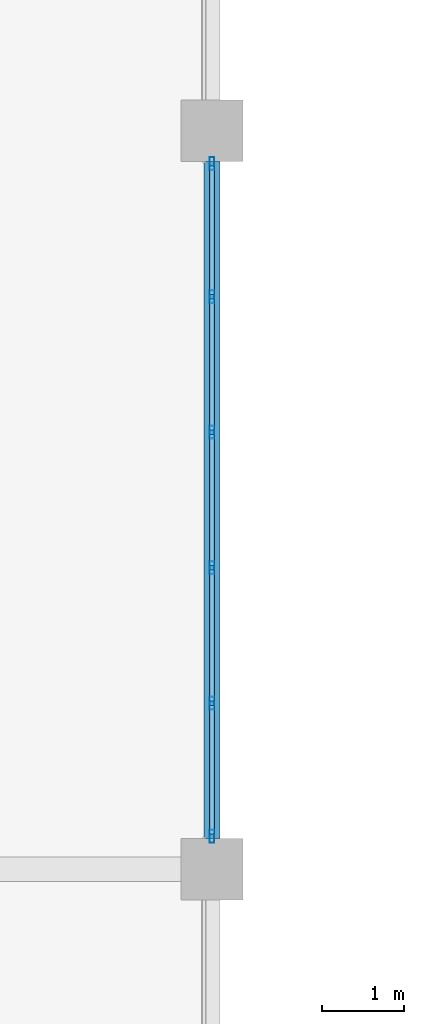
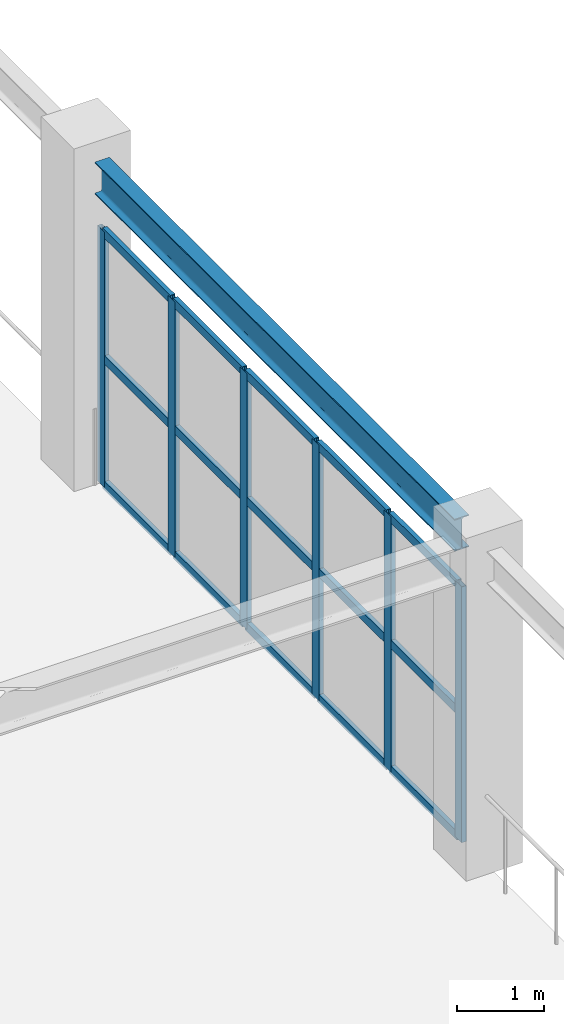
# One storey, part 35 of 89: 21 members, 1 beam, 1 element without a shape of its own.
"""IFC4 building model written with IfcOpenShell, lengths in metres."""

from ifc_helpers import new_model, si_unit, direction, frame, origin, origin_2d, place, context, subcontext, project, spatial, hollow_rectangle, i_section, extrude, material, layer, layer_set, material_profile, profile_set, type_object, element, aggregate, save


model = new_model("IFC4")

# Units and contexts
model_context = context("Model", 3, precision=1e-05, world=origin(), true_north=direction((0.0, 1.0)))
body_context = subcontext(model_context, "Body", "Model", "MODEL_VIEW")
ifc_project = project(units=[si_unit("LENGTHUNIT", "METRE"), si_unit("AREAUNIT", "SQUARE_METRE"), si_unit("VOLUMEUNIT", "CUBIC_METRE"), si_unit("PLANEANGLEUNIT", "RADIAN"), si_unit("MASSUNIT", "GRAM", prefix="KILO")], contexts=[model_context])

# Site, building, storey
site_placement = place(None, origin())
site = spatial("IfcSite", under=ifc_project, at=site_placement, CompositionType="ELEMENT")
building_placement = place(site_placement, origin())
building = spatial("IfcBuilding", under=site, at=building_placement, Name="Dornveld Trade and Exhibition Forum", CompositionType="ELEMENT")
storey_placement = place(building_placement, frame((0.0, 0.0, 12.0)))
storey = spatial("IfcBuildingStorey", under=building, at=storey_placement, Name="L02", CompositionType="ELEMENT", Elevation=12.0)

# Beam
ifc_material_1 = material(Name="Steel S355J2", Category="steel")
ifc_material_profile_1 = material_profile(ifc_material_1, i_section(OverallWidth=0.18994140625, OverallDepth=0.449951171875, WebThickness=0.009521484375, FlangeThickness=0.0146484375, FilletRadius=0.02099609375, at=origin_2d()), Name="IPE 450")
ifc_profile_set_1 = profile_set([ifc_material_profile_1], Name="Steel S355J2")
beam_type = type_object("IfcBeamType", Name="BM-SEC-450", PredefinedType="BEAM", material=ifc_profile_set_1)
beam_placement = place(storey_placement, frame((153.0, 81.37109375, 4.294921875), z_axis=(0.0, 1.0, 0.0), x_axis=(-1.0, 0.0, 0.0)))
element("IfcBeam", 1, at=beam_placement, inside=storey, type_object=beam_type, Name="L02 Y-girder 1532", PredefinedType="BEAM", context=body_context, shape_type="SweptSolid", body=[
    extrude(i_section(OverallWidth=0.18994140625, OverallDepth=0.449951171875, WebThickness=0.009521484375, FlangeThickness=0.0146484375, FilletRadius=0.02099609375, at=origin_2d()), origin(), (0.0, 0.0, 1.0), 8.2578125),
])

# Curtain wall, members
ifc_material_2 = material(Name="Dark-bronze anodised aluminium and low-E glass", Category="aluminium")
ifc_layer = layer(ifc_material_2, 0.1689453125)
ifc_layer_set = layer_set([ifc_layer], Name="Dark-bronze anodised aluminium and low-E glass")
curtain_wall_type = type_object("IfcCurtainWallType", Name="CW-SYS-09", PredefinedType="USERDEFINED", material=ifc_layer_set)
curtain_wall_placement = place(storey_placement, origin())
curtain_wall = element("IfcCurtainWall", 2, at=curtain_wall_placement, inside=storey, type_object=curtain_wall_type, Name="L02 unitised curtain wall 63", ObjectType="UNITISED_CURTAIN_WALL", PredefinedType="USERDEFINED")
ifc_material_3 = material(Name="Dark-bronze anodised aluminium", Category="aluminium")
ifc_material_profile_2 = material_profile(ifc_material_3, hollow_rectangle(XDim=0.06005859375, YDim=0.159912109375, WallThickness=0.00390625, at=origin_2d()), Name="RHS 160x60x4")
ifc_profile_set_2 = profile_set([ifc_material_profile_2], Name="Dark-bronze anodised aluminium")
member_type_1 = type_object("IfcMemberType", Name="CW-MUL-160", PredefinedType="MULLION", material=ifc_profile_set_2)
member_1_placement = place(storey_placement, frame((153.0, 81.40087890625, -0.00390625), z_axis=(0.0, 0.0, 1.0), x_axis=(-1.0, 0.0, 0.0)))
member_1 = element("IfcMember", 3, at=member_1_placement, type_object=member_type_1, Name="CW-09 mullion 1", PredefinedType="MULLION", context=body_context, shape_type="SweptSolid", body=[
    extrude(hollow_rectangle(XDim=0.06005859375, YDim=0.159912109375, WallThickness=0.00390625, at=origin_2d()), origin(), (0.0, 0.0, 1.0), 3.583984375),
])
member_2_placement = place(storey_placement, frame((153.0, 83.022705078125, -0.00390625), z_axis=(0.0, 0.0, 1.0), x_axis=(-1.0, 0.0, 0.0)))
member_2 = element("IfcMember", 4, at=member_2_placement, type_object=member_type_1, Name="CW-09 mullion 2", PredefinedType="MULLION", context=body_context, shape_type="SweptSolid", body=[
    extrude(hollow_rectangle(XDim=0.06005859375, YDim=0.159912109375, WallThickness=0.00390625, at=origin_2d()), origin(), (0.0, 0.0, 1.0), 3.583984375),
])
member_3_placement = place(storey_placement, frame((153.0, 84.67431640625, -0.00390625), z_axis=(0.0, 0.0, 1.0), x_axis=(-1.0, 0.0, 0.0)))
member_3 = element("IfcMember", 5, at=member_3_placement, type_object=member_type_1, Name="CW-09 mullion 3", PredefinedType="MULLION", context=body_context, shape_type="SweptSolid", body=[
    extrude(hollow_rectangle(XDim=0.06005859375, YDim=0.159912109375, WallThickness=0.00390625, at=origin_2d()), origin(), (0.0, 0.0, 1.0), 3.583984375),
])
member_4_placement = place(storey_placement, frame((153.0, 86.32568359375, -0.00390625), z_axis=(0.0, 0.0, 1.0), x_axis=(-1.0, 0.0, 0.0)))
member_4 = element("IfcMember", 6, at=member_4_placement, type_object=member_type_1, Name="CW-09 mullion 4", PredefinedType="MULLION", context=body_context, shape_type="SweptSolid", body=[
    extrude(hollow_rectangle(XDim=0.06005859375, YDim=0.159912109375, WallThickness=0.00390625, at=origin_2d()), origin(), (0.0, 0.0, 1.0), 3.583984375),
])
member_5_placement = place(storey_placement, frame((153.0, 87.977294921875, -0.00390625), z_axis=(0.0, 0.0, 1.0), x_axis=(-1.0, 0.0, 0.0)))
member_5 = element("IfcMember", 7, at=member_5_placement, type_object=member_type_1, Name="CW-09 mullion 5", PredefinedType="MULLION", context=body_context, shape_type="SweptSolid", body=[
    extrude(hollow_rectangle(XDim=0.06005859375, YDim=0.159912109375, WallThickness=0.00390625, at=origin_2d()), origin(), (0.0, 0.0, 1.0), 3.583984375),
])
member_6_placement = place(storey_placement, frame((153.0, 89.59912109375, -0.00390625), z_axis=(0.0, 0.0, 1.0), x_axis=(-1.0, 0.0, 0.0)))
member_6 = element("IfcMember", 8, at=member_6_placement, type_object=member_type_1, Name="CW-09 mullion 6", PredefinedType="MULLION", context=body_context, shape_type="SweptSolid", body=[
    extrude(hollow_rectangle(XDim=0.06005859375, YDim=0.159912109375, WallThickness=0.00390625, at=origin_2d()), origin(), (0.0, 0.0, 1.0), 3.583984375),
])
ifc_material_4 = material(Name="Dark-bronze anodised aluminium", Category="aluminium")
ifc_material_profile_3 = material_profile(ifc_material_4, hollow_rectangle(XDim=0.06005859375, YDim=0.1201171875, WallThickness=0.00390625, at=origin_2d()), Name="RHS 120x60x4")
ifc_profile_set_3 = profile_set([ifc_material_profile_3], Name="Dark-bronze anodised aluminium")
member_type_2 = type_object("IfcMemberType", Name="CW-TRN-120", PredefinedType="USERDEFINED", material=ifc_profile_set_3)
member_7_placement = place(storey_placement, frame((153.0, 81.430908203125, 0.02587890625), z_axis=(0.0, 1.0, 0.0), x_axis=(-1.0, 0.0, 0.0)))
member_7 = element("IfcMember", 9, at=member_7_placement, type_object=member_type_2, Name="CW-09 transom 1.1", ObjectType="TRANSOM", PredefinedType="USERDEFINED", context=body_context, shape_type="SweptSolid", body=[
    extrude(hollow_rectangle(XDim=0.06005859375, YDim=0.1201171875, WallThickness=0.00390625, at=origin_2d()), origin(), (0.0, 0.0, 1.0), 1.561767578125),
])
member_8_placement = place(storey_placement, frame((153.0, 81.430908203125, 1.7880859375), z_axis=(0.0, 1.0, 0.0), x_axis=(-1.0, 0.0, 0.0)))
member_8 = element("IfcMember", 10, at=member_8_placement, type_object=member_type_2, Name="CW-09 transom 1.2", ObjectType="TRANSOM", PredefinedType="USERDEFINED", context=body_context, shape_type="SweptSolid", body=[
    extrude(hollow_rectangle(XDim=0.06005859375, YDim=0.1201171875, WallThickness=0.00390625, at=origin_2d()), origin(), (0.0, 0.0, 1.0), 1.561767578125),
])
member_9_placement = place(storey_placement, frame((153.0, 81.430908203125, 3.550048828125), z_axis=(0.0, 1.0, 0.0), x_axis=(-1.0, 0.0, 0.0)))
member_9 = element("IfcMember", 11, at=member_9_placement, type_object=member_type_2, Name="CW-09 transom 1.3", ObjectType="TRANSOM", PredefinedType="USERDEFINED", context=body_context, shape_type="SweptSolid", body=[
    extrude(hollow_rectangle(XDim=0.06005859375, YDim=0.1201171875, WallThickness=0.00390625, at=origin_2d()), origin(), (0.0, 0.0, 1.0), 1.561767578125),
])
member_10_placement = place(storey_placement, frame((153.0, 83.052490234375, 0.02587890625), z_axis=(0.0, 1.0, 0.0), x_axis=(-1.0, 0.0, 0.0)))
member_10 = element("IfcMember", 12, at=member_10_placement, type_object=member_type_2, Name="CW-09 transom 2.1", ObjectType="TRANSOM", PredefinedType="USERDEFINED", context=body_context, shape_type="SweptSolid", body=[
    extrude(hollow_rectangle(XDim=0.06005859375, YDim=0.1201171875, WallThickness=0.00390625, at=origin_2d()), origin(), (0.0, 0.0, 1.0), 1.591796875),
])
member_11_placement = place(storey_placement, frame((153.0, 83.052490234375, 1.7880859375), z_axis=(0.0, 1.0, 0.0), x_axis=(-1.0, 0.0, 0.0)))
member_11 = element("IfcMember", 13, at=member_11_placement, type_object=member_type_2, Name="CW-09 transom 2.2", ObjectType="TRANSOM", PredefinedType="USERDEFINED", context=body_context, shape_type="SweptSolid", body=[
    extrude(hollow_rectangle(XDim=0.06005859375, YDim=0.1201171875, WallThickness=0.00390625, at=origin_2d()), origin(), (0.0, 0.0, 1.0), 1.591796875),
])
member_12_placement = place(storey_placement, frame((153.0, 83.052490234375, 3.550048828125), z_axis=(0.0, 1.0, 0.0), x_axis=(-1.0, 0.0, 0.0)))
member_12 = element("IfcMember", 14, at=member_12_placement, type_object=member_type_2, Name="CW-09 transom 2.3", ObjectType="TRANSOM", PredefinedType="USERDEFINED", context=body_context, shape_type="SweptSolid", body=[
    extrude(hollow_rectangle(XDim=0.06005859375, YDim=0.1201171875, WallThickness=0.00390625, at=origin_2d()), origin(), (0.0, 0.0, 1.0), 1.591796875),
])
member_13_placement = place(storey_placement, frame((153.0, 84.7041015625, 0.02587890625), z_axis=(0.0, 1.0, 0.0), x_axis=(-1.0, 0.0, 0.0)))
member_13 = element("IfcMember", 15, at=member_13_placement, type_object=member_type_2, Name="CW-09 transom 3.1", ObjectType="TRANSOM", PredefinedType="USERDEFINED", context=body_context, shape_type="SweptSolid", body=[
    extrude(hollow_rectangle(XDim=0.06005859375, YDim=0.1201171875, WallThickness=0.00390625, at=origin_2d()), origin(), (0.0, 0.0, 1.0), 1.591796875),
])
member_14_placement = place(storey_placement, frame((153.0, 84.7041015625, 1.7880859375), z_axis=(0.0, 1.0, 0.0), x_axis=(-1.0, 0.0, 0.0)))
member_14 = element("IfcMember", 16, at=member_14_placement, type_object=member_type_2, Name="CW-09 transom 3.2", ObjectType="TRANSOM", PredefinedType="USERDEFINED", context=body_context, shape_type="SweptSolid", body=[
    extrude(hollow_rectangle(XDim=0.06005859375, YDim=0.1201171875, WallThickness=0.00390625, at=origin_2d()), origin(), (0.0, 0.0, 1.0), 1.591796875),
])
member_15_placement = place(storey_placement, frame((153.0, 84.7041015625, 3.550048828125), z_axis=(0.0, 1.0, 0.0), x_axis=(-1.0, 0.0, 0.0)))
member_15 = element("IfcMember", 17, at=member_15_placement, type_object=member_type_2, Name="CW-09 transom 3.3", ObjectType="TRANSOM", PredefinedType="USERDEFINED", context=body_context, shape_type="SweptSolid", body=[
    extrude(hollow_rectangle(XDim=0.06005859375, YDim=0.1201171875, WallThickness=0.00390625, at=origin_2d()), origin(), (0.0, 0.0, 1.0), 1.591796875),
])
member_16_placement = place(storey_placement, frame((153.0, 86.355712890625, 0.02587890625), z_axis=(0.0, 1.0, 0.0), x_axis=(-1.0, 0.0, 0.0)))
member_16 = element("IfcMember", 18, at=member_16_placement, type_object=member_type_2, Name="CW-09 transom 4.1", ObjectType="TRANSOM", PredefinedType="USERDEFINED", context=body_context, shape_type="SweptSolid", body=[
    extrude(hollow_rectangle(XDim=0.06005859375, YDim=0.1201171875, WallThickness=0.00390625, at=origin_2d()), origin(), (0.0, 0.0, 1.0), 1.591796875),
])
member_17_placement = place(storey_placement, frame((153.0, 86.355712890625, 1.7880859375), z_axis=(0.0, 1.0, 0.0), x_axis=(-1.0, 0.0, 0.0)))
member_17 = element("IfcMember", 19, at=member_17_placement, type_object=member_type_2, Name="CW-09 transom 4.2", ObjectType="TRANSOM", PredefinedType="USERDEFINED", context=body_context, shape_type="SweptSolid", body=[
    extrude(hollow_rectangle(XDim=0.06005859375, YDim=0.1201171875, WallThickness=0.00390625, at=origin_2d()), origin(), (0.0, 0.0, 1.0), 1.591796875),
])
member_18_placement = place(storey_placement, frame((153.0, 86.355712890625, 3.550048828125), z_axis=(0.0, 1.0, 0.0), x_axis=(-1.0, 0.0, 0.0)))
member_18 = element("IfcMember", 20, at=member_18_placement, type_object=member_type_2, Name="CW-09 transom 4.3", ObjectType="TRANSOM", PredefinedType="USERDEFINED", context=body_context, shape_type="SweptSolid", body=[
    extrude(hollow_rectangle(XDim=0.06005859375, YDim=0.1201171875, WallThickness=0.00390625, at=origin_2d()), origin(), (0.0, 0.0, 1.0), 1.591796875),
])
member_19_placement = place(storey_placement, frame((153.0, 88.00732421875, 0.02587890625), z_axis=(0.0, 1.0, 0.0), x_axis=(-1.0, 0.0, 0.0)))
member_19 = element("IfcMember", 21, at=member_19_placement, type_object=member_type_2, Name="CW-09 transom 5.1", ObjectType="TRANSOM", PredefinedType="USERDEFINED", context=body_context, shape_type="SweptSolid", body=[
    extrude(hollow_rectangle(XDim=0.06005859375, YDim=0.1201171875, WallThickness=0.00390625, at=origin_2d()), origin(), (0.0, 0.0, 1.0), 1.561767578125),
])
member_20_placement = place(storey_placement, frame((153.0, 88.00732421875, 1.7880859375), z_axis=(0.0, 1.0, 0.0), x_axis=(-1.0, 0.0, 0.0)))
member_20 = element("IfcMember", 22, at=member_20_placement, type_object=member_type_2, Name="CW-09 transom 5.2", ObjectType="TRANSOM", PredefinedType="USERDEFINED", context=body_context, shape_type="SweptSolid", body=[
    extrude(hollow_rectangle(XDim=0.06005859375, YDim=0.1201171875, WallThickness=0.00390625, at=origin_2d()), origin(), (0.0, 0.0, 1.0), 1.561767578125),
])
member_21_placement = place(storey_placement, frame((153.0, 88.00732421875, 3.550048828125), z_axis=(0.0, 1.0, 0.0), x_axis=(-1.0, 0.0, 0.0)))
member_21 = element("IfcMember", 23, at=member_21_placement, type_object=member_type_2, Name="CW-09 transom 5.3", ObjectType="TRANSOM", PredefinedType="USERDEFINED", context=body_context, shape_type="SweptSolid", body=[
    extrude(hollow_rectangle(XDim=0.06005859375, YDim=0.1201171875, WallThickness=0.00390625, at=origin_2d()), origin(), (0.0, 0.0, 1.0), 1.561767578125),
])
aggregate(curtain_wall, [member_1, member_2, member_3, member_4, member_5, member_6, member_7, member_8, member_9, member_10, member_11, member_12, member_13, member_14, member_15, member_16, member_17, member_18, member_19, member_20, member_21])

save(model, "model.ifc")
